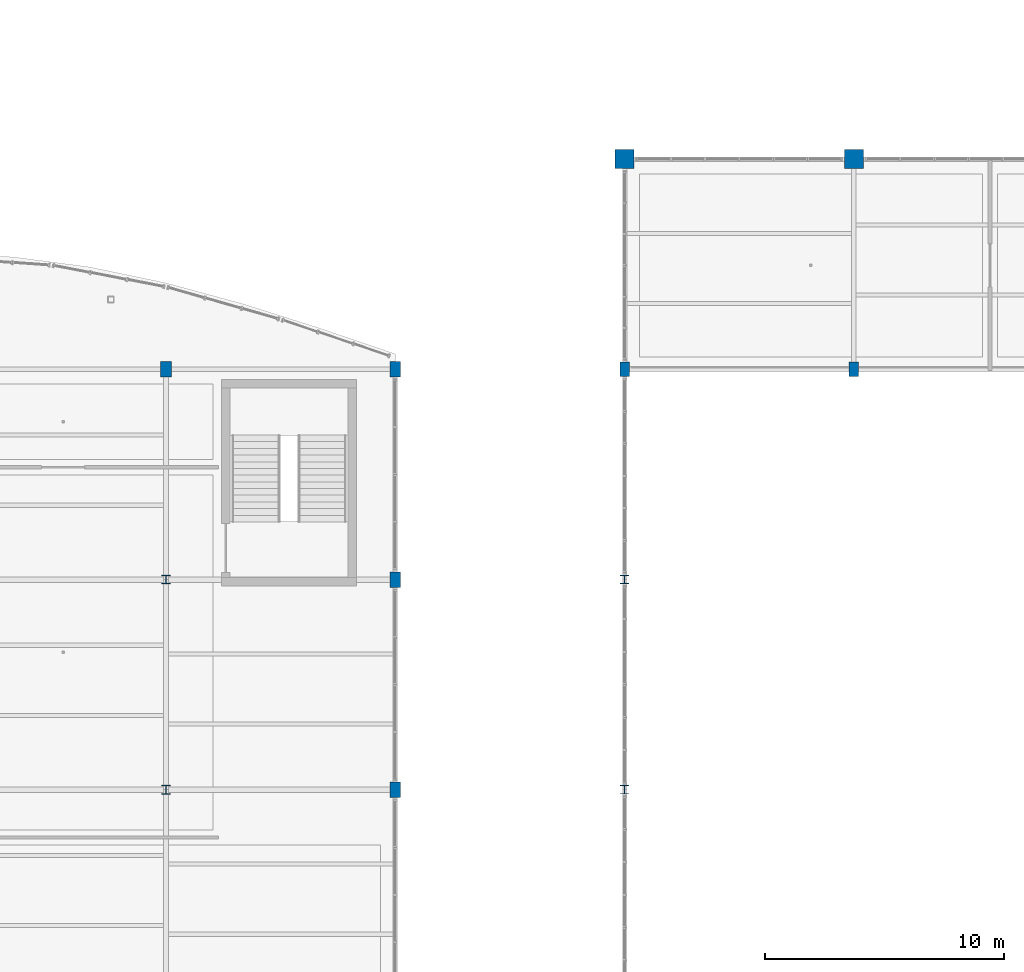
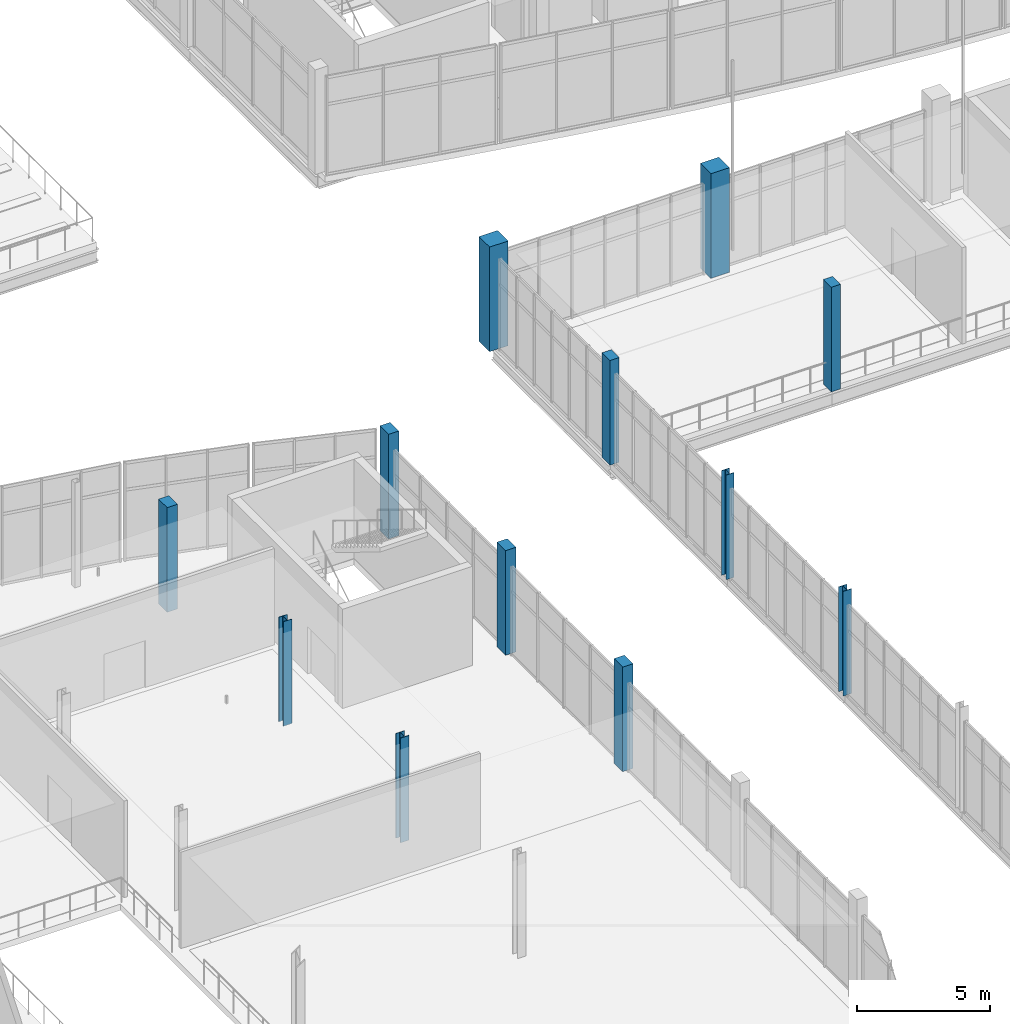
# One storey, part 4 of 157: 12 columns.
"""IFC4 building model written with IfcOpenShell, lengths in metres."""

from ifc_helpers import new_model, si_unit, direction, frame, origin, origin_2d, place, context, subcontext, project, spatial, rectangle, i_section, extrude, material, material_profile, profile_set, type_object, element, save


model = new_model("IFC4")

# Units and contexts
model_context = context("Model", 3, precision=1e-05, world=origin(), true_north=direction((0.0, 1.0)))
body_context = subcontext(model_context, "Body", "Model", "MODEL_VIEW")
ifc_project = project(units=[si_unit("LENGTHUNIT", "METRE"), si_unit("AREAUNIT", "SQUARE_METRE"), si_unit("VOLUMEUNIT", "CUBIC_METRE"), si_unit("PLANEANGLEUNIT", "RADIAN"), si_unit("MASSUNIT", "GRAM", prefix="KILO")], contexts=[model_context])

# Site, building, storey
site_placement = place(None, origin())
site = spatial("IfcSite", under=ifc_project, at=site_placement, CompositionType="ELEMENT")
building_placement = place(site_placement, origin())
building = spatial("IfcBuilding", under=site, at=building_placement, Name="Chalmorin Arch Market", CompositionType="ELEMENT")
storey_placement = place(building_placement, frame((0.0, 0.0, 4.800048828125)))
storey = spatial("IfcBuildingStorey", under=building, at=storey_placement, Name="L01", CompositionType="ELEMENT", Elevation=4.800048828125)

# Columns
ifc_material_1 = material(Name="Concrete C50/60", Category="concrete")
ifc_material_profile_1 = material_profile(ifc_material_1, rectangle(XDim=0.800048828125, YDim=0.800048828125, at=origin_2d()), Name="RC800X800")
ifc_profile_set_1 = profile_set([ifc_material_profile_1], Name="Concrete C50/60")
column_type_1 = type_object("IfcColumnType", Name="ArchPierColumn-800x800", PredefinedType="COLUMN", material=ifc_profile_set_1)
for number, where, z_axis, x_axis, name in (
    (1, (48.0, 58.800048828125, 0.0), (0.0, 0.0, 1.0), (1.0, 0.0, 0.0), "C-AP1-222"),
    (2, (57.60009765625, 58.800048828125, 0.0), (0.0, 0.0, 1.0), (1.0, 0.0, 0.0), "C-AP1-277"),
):
    element("IfcColumn", number, at=place(storey_placement, frame(where, z_axis=z_axis, x_axis=x_axis)), inside=storey, type_object=column_type_1, Name=name, PredefinedType="COLUMN", context=body_context, shape_type="SweptSolid", body=[
        extrude(rectangle(XDim=0.800048828125, YDim=0.800048828125, at=origin_2d()), origin(), (0.0, 0.0, 1.0), 4.800048828125),
    ])
ifc_material_2 = material(Name="Concrete C40/50", Category="concrete")
ifc_material_profile_2 = material_profile(ifc_material_2, rectangle(XDim=0.39990234375, YDim=0.60009765625, at=origin_2d()), Name="RC400X600")
ifc_profile_set_2 = profile_set([ifc_material_profile_2], Name="Concrete C40/50")
column_type_2 = type_object("IfcColumnType", Name="GalleryConcreteColumn-400x600", PredefinedType="COLUMN", material=ifc_profile_set_2)
for number, where, z_axis, x_axis, name in (
    (3, (48.0, 50.0, 0.0), (0.0, 0.0, 1.0), (1.0, 0.0, 0.0), "C-RC5-217"),
    (4, (57.60009765625, 50.0, 0.0), (0.0, 0.0, 1.0), (1.0, 0.0, 0.0), "C-RC5-272"),
):
    element("IfcColumn", number, at=place(storey_placement, frame(where, z_axis=z_axis, x_axis=x_axis)), inside=storey, type_object=column_type_2, Name=name, PredefinedType="COLUMN", context=body_context, shape_type="SweptSolid", body=[
        extrude(rectangle(XDim=0.39990234375, YDim=0.60009765625, at=origin_2d()), origin(), (0.0, 0.0, 1.0), 4.800048828125),
    ])
ifc_material_3 = material(Name="Steel A992 Grade 50", Category="steel")
ifc_material_profile_3 = material_profile(ifc_material_3, i_section(OverallWidth=0.367919921875, OverallDepth=0.367919921875, WebThickness=0.014892578125, FlangeThickness=0.02392578125, FilletRadius=0.02490234375, at=origin_2d()), Name="W14X120")
ifc_profile_set_3 = profile_set([ifc_material_profile_3], Name="Steel A992 Grade 50")
column_type_3 = type_object("IfcColumnType", Name="WideFlangeColumn-W14X120", PredefinedType="COLUMN", material=ifc_profile_set_3)
for number, where, z_axis, x_axis, name in (
    (5, (28.800048828125, 32.39990234375, 0.0), (0.0, 0.0, 1.0), (1.0, 0.0, 0.0), "C-ST1-129"),
    (6, (28.800048828125, 41.199951171875, 0.0), (0.0, 0.0, 1.0), (1.0, 0.0, 0.0), "C-ST1-133"),
):
    element("IfcColumn", number, at=place(storey_placement, frame(where, z_axis=z_axis, x_axis=x_axis)), inside=storey, type_object=column_type_3, Name=name, PredefinedType="COLUMN", context=body_context, shape_type="SweptSolid", body=[
        extrude(i_section(OverallWidth=0.367919921875, OverallDepth=0.367919921875, WebThickness=0.014892578125, FlangeThickness=0.02392578125, FilletRadius=0.02490234375, at=origin_2d()), origin(), (0.0, 0.0, 1.0), 4.800048828125),
    ])
ifc_material_profile_4 = material_profile(ifc_material_3, i_section(OverallWidth=0.35595703125, OverallDepth=0.35595703125, WebThickness=0.01123046875, FlangeThickness=0.01806640625, FilletRadius=0.02490234375, at=origin_2d()), Name="W14X90")
ifc_profile_set_4 = profile_set([ifc_material_profile_4], Name="Steel A992 Grade 50")
column_type_4 = type_object("IfcColumnType", Name="WideFlangeColumn-W14X90", PredefinedType="COLUMN", material=ifc_profile_set_4)
for number, where, z_axis, x_axis, name in (
    (7, (48.0, 32.39990234375, 0.0), (0.0, 0.0, 1.0), (1.0, 0.0, 0.0), "C-ST2-207"),
    (8, (48.0, 41.199951171875, 0.0), (0.0, 0.0, 1.0), (1.0, 0.0, 0.0), "C-ST2-212"),
):
    element("IfcColumn", number, at=place(storey_placement, frame(where, z_axis=z_axis, x_axis=x_axis)), inside=storey, type_object=column_type_4, Name=name, PredefinedType="COLUMN", context=body_context, shape_type="SweptSolid", body=[
        extrude(i_section(OverallWidth=0.35595703125, OverallDepth=0.35595703125, WebThickness=0.01123046875, FlangeThickness=0.01806640625, FilletRadius=0.02490234375, at=origin_2d()), origin(), (0.0, 0.0, 1.0), 4.800048828125),
    ])
ifc_material_profile_5 = material_profile(ifc_material_2, rectangle(XDim=0.449951171875, YDim=0.64990234375, at=origin_2d()), Name="RC450X650")
ifc_profile_set_5 = profile_set([ifc_material_profile_5], Name="Concrete C40/50")
column_type_5 = type_object("IfcColumnType", Name="WingConcreteColumn-450x650", PredefinedType="COLUMN", material=ifc_profile_set_5)
for number, where, z_axis, x_axis, name in (
    (9, (28.800048828125, 50.0, 0.0), (0.0, 0.0, 1.0), (1.0, 0.0, 0.0), "C-RC4-137"),
    (10, (38.39990234375, 32.39990234375, 0.0), (0.0, 0.0, 1.0), (1.0, 0.0, 0.0), "C-RC4-166"),
    (11, (38.39990234375, 41.199951171875, 0.0), (0.0, 0.0, 1.0), (1.0, 0.0, 0.0), "C-RC4-170"),
    (12, (38.39990234375, 50.0, 0.0), (0.0, 0.0, 1.0), (1.0, 0.0, 0.0), "C-RC4-174"),
):
    element("IfcColumn", number, at=place(storey_placement, frame(where, z_axis=z_axis, x_axis=x_axis)), inside=storey, type_object=column_type_5, Name=name, PredefinedType="COLUMN", context=body_context, shape_type="SweptSolid", body=[
        extrude(rectangle(XDim=0.449951171875, YDim=0.64990234375, at=origin_2d()), origin(), (0.0, 0.0, 1.0), 4.800048828125),
    ])

save(model, "model.ifc")
